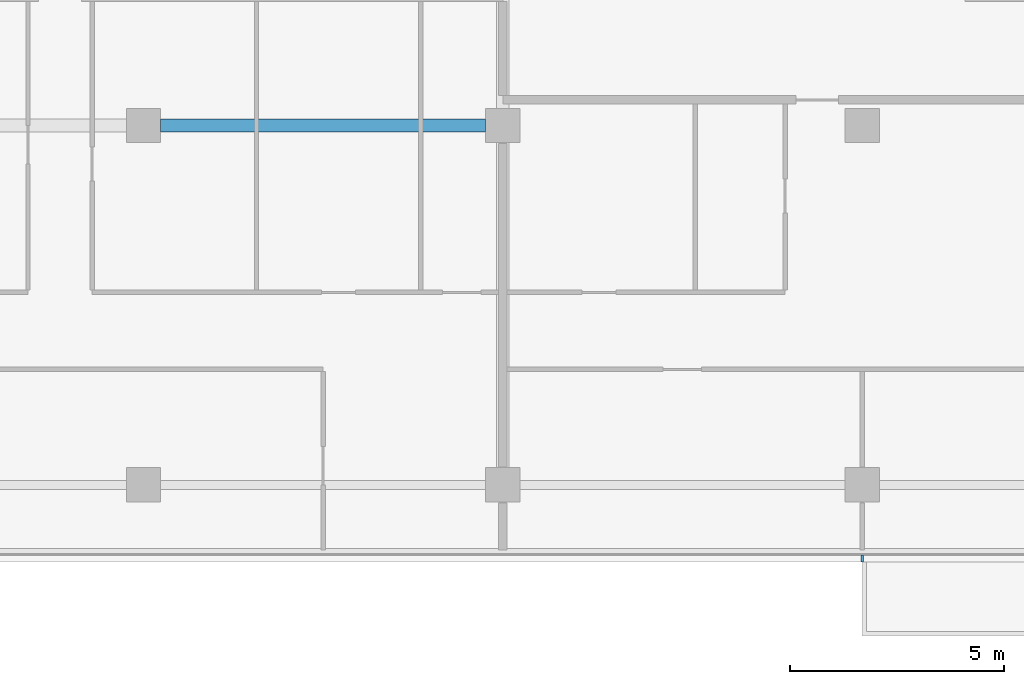
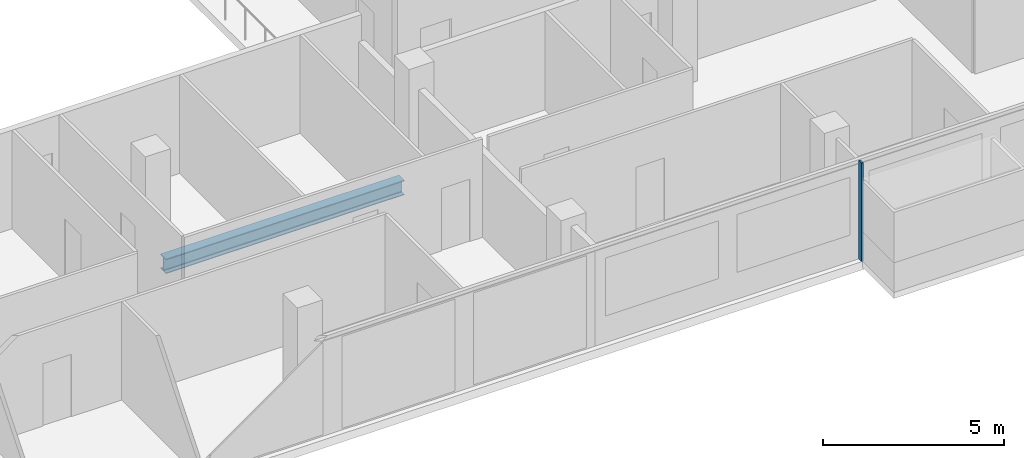
# One storey, part 6 of 29: 1 beam, 1 member, 1 element without a shape of its own.
"""IFC4 building model written with IfcOpenShell, lengths in metres."""

from ifc_helpers import new_model, si_unit, direction, frame, origin, origin_2d, place, context, subcontext, project, spatial, rectangle, i_section, extrude, material, material_profile, profile_set, type_object, element, aggregate, save


model = new_model("IFC4")

# Units and contexts
model_context = context("Model", 3, precision=1e-05, world=origin(), true_north=direction((0.0, 1.0)))
body_context = subcontext(model_context, "Body", "Model", "MODEL_VIEW")
ifc_project = project(units=[si_unit("LENGTHUNIT", "METRE"), si_unit("AREAUNIT", "SQUARE_METRE"), si_unit("VOLUMEUNIT", "CUBIC_METRE"), si_unit("PLANEANGLEUNIT", "RADIAN"), si_unit("MASSUNIT", "GRAM", prefix="KILO")], contexts=[model_context])

# Site, building, storey
site_placement = place(None, origin())
site = spatial("IfcSite", under=ifc_project, at=site_placement, CompositionType="ELEMENT")
building_placement = place(site_placement, origin())
building = spatial("IfcBuilding", under=site, at=building_placement, Name="Saffron Gate Tower", CompositionType="ELEMENT")
storey_placement = place(building_placement, frame((0.0, 0.0, 116.85009765625)))
storey = spatial("IfcBuildingStorey", under=building, at=storey_placement, Name="L27", CompositionType="ELEMENT", Elevation=116.85009765625)

# Beam
ifc_material_1 = material(Name="Structural steel S355", Category="steel")
ifc_material_profile_1 = material_profile(ifc_material_1, i_section(OverallWidth=0.300048828125, OverallDepth=0.489990234375, WebThickness=0.011962890625, FlangeThickness=0.02294921875, FilletRadius=0.027099609375, at=origin_2d()))
ifc_profile_set_1 = profile_set([ifc_material_profile_1], Name="Structural steel S355")
beam_type = type_object("IfcBeamType", Name="B8 HEA 500", PredefinedType="BEAM", material=ifc_profile_set_1)
beam_placement = place(storey_placement, frame((92.199951171875, 40.199951171875, -0.525146484375), z_axis=(1.0, 0.0, 0.0), x_axis=(0.0, 1.0, 0.0)))
element("IfcBeam", 1, at=beam_placement, inside=storey, type_object=beam_type, Name="B8 FLOOR GIRDER", PredefinedType="BEAM", context=body_context, shape_type="SweptSolid", body=[
    extrude(i_section(OverallWidth=0.300048828125, OverallDepth=0.489990234375, WebThickness=0.011962890625, FlangeThickness=0.02294921875, FilletRadius=0.027099609375, at=origin_2d()), origin(), (0.0, 0.0, 1.0), 7.60009765625),
])

# Curtain wall, member
ifc_material_2 = material(Name="Aluminium, bronze anodised", Category="aluminium")
curtain_wall_type = type_object("IfcCurtainWallType", Name="CWS1 curtain wall front facade", PredefinedType="NOTDEFINED", material=ifc_material_2)
curtain_wall_placement = place(storey_placement, origin())
curtain_wall = element("IfcCurtainWall", 2, at=curtain_wall_placement, inside=storey, type_object=curtain_wall_type, Name="CWS1 run 1", PredefinedType="NOTDEFINED")
ifc_material_profile_2 = material_profile(ifc_material_2, rectangle(XDim=0.159912109375, YDim=0.06005859375, at=origin_2d()))
ifc_profile_set_2 = profile_set([ifc_material_profile_2], Name="Aluminium, bronze anodised")
member_type = type_object("IfcMemberType", Name="CWS1 mullion 60x160", PredefinedType="MULLION", material=ifc_profile_set_2)
member_placement = place(storey_placement, frame((108.60009765625, 30.080078125, 0.0), z_axis=(0.0, 0.0, 1.0), x_axis=(0.0, 1.0, 0.0)))
member = element("IfcMember", 3, at=member_placement, type_object=member_type, Name="CWS1 mullion 8", PredefinedType="MULLION", context=body_context, shape_type="SweptSolid", body=[
    extrude(rectangle(XDim=0.159912109375, YDim=0.06005859375, at=origin_2d()), origin(), (0.0, 0.0, 1.0), 3.31982421875),
])
aggregate(curtain_wall, [member])

save(model, "model.ifc")
